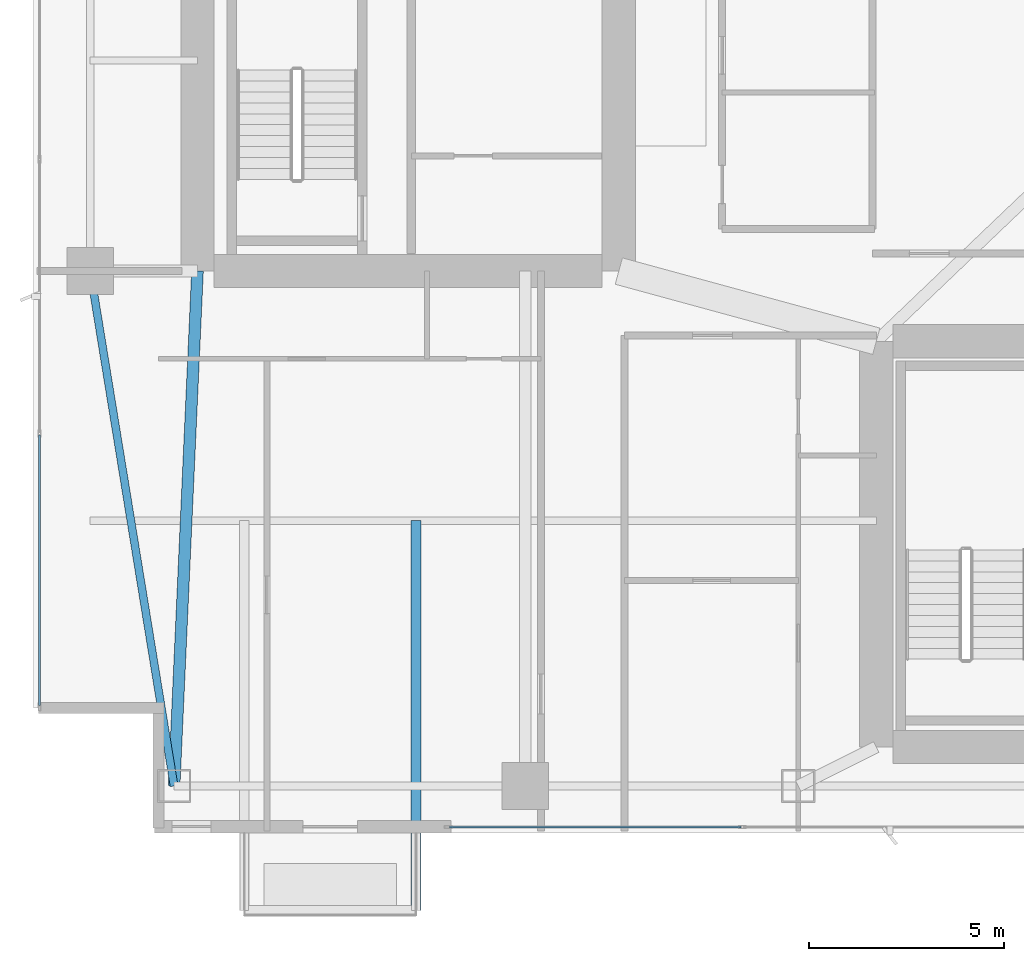
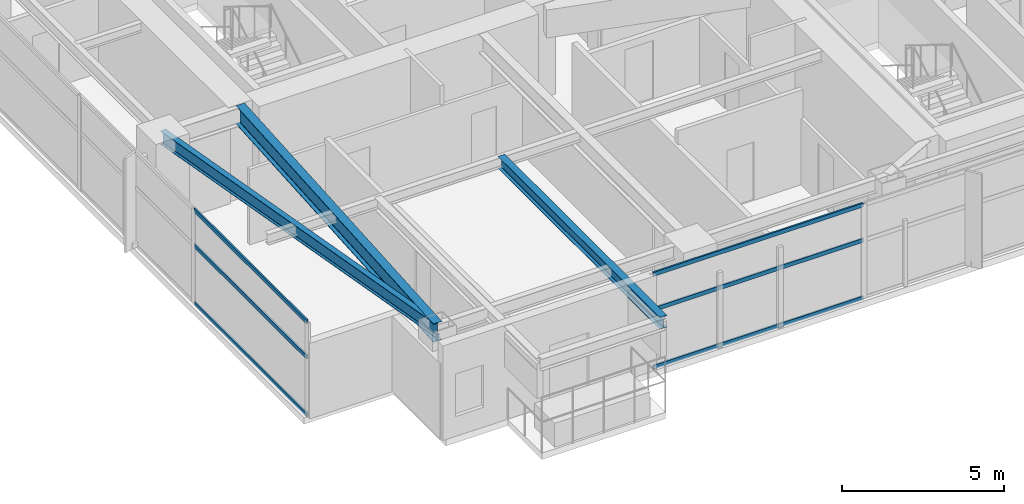
# One storey, part 3 of 28: 6 members, 3 beams, 2 elements without a shape of their own.
"""IFC4 building model written with IfcOpenShell, lengths in metres."""

from ifc_helpers import new_model, si_unit, direction, frame, origin, origin_2d, place, context, subcontext, project, spatial, hollow_rectangle, i_section, extrude, material, layer, layer_set, material_profile, profile_set, type_object, element, aggregate, save


model = new_model("IFC4")

# Units and contexts
model_context = context("Model", 3, precision=1e-05, world=origin(), true_north=direction((0.0, 1.0)))
body_context = subcontext(model_context, "Body", "Model", "MODEL_VIEW")
ifc_project = project(units=[si_unit("LENGTHUNIT", "METRE"), si_unit("AREAUNIT", "SQUARE_METRE"), si_unit("VOLUMEUNIT", "CUBIC_METRE"), si_unit("PLANEANGLEUNIT", "RADIAN"), si_unit("MASSUNIT", "GRAM", prefix="KILO")], contexts=[model_context])

# Site, building, storey
site_placement = place(None, origin())
site = spatial("IfcSite", under=ifc_project, at=site_placement, CompositionType="ELEMENT")
building_placement = place(site_placement, origin())
building = spatial("IfcBuilding", under=site, at=building_placement, Name="Calvorn Quay Hotel", CompositionType="ELEMENT")
storey_placement = place(building_placement, frame((0.0, 0.0, 116.39990234375)))
storey = spatial("IfcBuildingStorey", under=building, at=storey_placement, Name="L28", CompositionType="ELEMENT", Elevation=116.39990234375)

# Beams
ifc_material_1 = material(Name="Steel Q355B", Category="steel")
ifc_material_profile_1 = material_profile(ifc_material_1, i_section(OverallWidth=0.25, OverallDepth=0.449951171875, WebThickness=0.011962890625, FlangeThickness=0.01611328125, FilletRadius=0.01611328125, at=origin_2d()), Name="HN450x250x12x16")
ifc_profile_set_1 = profile_set([ifc_material_profile_1], Name="Steel Q355B")
beam_type_1 = type_object("IfcBeamType", Name="BM-CANT-BALC", PredefinedType="BEAM", material=ifc_profile_set_1)
beam_1_placement = place(storey_placement, frame((9.800048828125, 10.39990234375, 3.315185546875), z_axis=(0.0, -1.0, 0.0), x_axis=(1.0, 0.0, 0.0)))
element("IfcBeam", 1, at=beam_1_placement, inside=storey, type_object=beam_type_1, Name="Cantilever Balcony Beam BCB-L29-2B", PredefinedType="BEAM", context=body_context, shape_type="SweptSolid", body=[
    extrude(i_section(OverallWidth=0.25, OverallDepth=0.449951171875, WebThickness=0.011962890625, FlangeThickness=0.01611328125, FilletRadius=0.01611328125, at=origin_2d()), origin(), (0.0, 0.0, 1.0), 9.989990234375),
])
ifc_material_2 = material(Name="Steel Q390GJC", Category="steel")
ifc_material_profile_2 = material_profile(ifc_material_2, i_section(OverallWidth=0.300048828125, OverallDepth=0.699951171875, WebThickness=0.012939453125, FlangeThickness=0.02392578125, FilletRadius=0.02392578125, at=origin_2d()), Name="HN700x300x13x24")
ifc_profile_set_2 = profile_set([ifc_material_profile_2], Name="Steel Q390GJC")
beam_type_2 = type_object("IfcBeamType", Name="BM-GIRD-MAIN", PredefinedType="BEAM", material=ifc_profile_set_2)
beam_2_placement = place(storey_placement, frame((3.60009765625, 3.60009765625, 3.190185546875), z_axis=(0.045396765494, 0.998969035397, 0.0), x_axis=(-0.998969035397, 0.045396765494, 0.0)))
element("IfcBeam", 2, at=beam_2_placement, inside=storey, type_object=beam_type_2, Name="Beam BG-L28-W0", PredefinedType="BEAM", context=body_context, shape_type="SweptSolid", body=[
    extrude(i_section(OverallWidth=0.300048828125, OverallDepth=0.699951171875, WebThickness=0.012939453125, FlangeThickness=0.02392578125, FilletRadius=0.02392578125, at=origin_2d()), origin(), (0.0, 0.0, 1.0), 13.213623046875),
])
ifc_material_3 = material(Name="Steel Q355B", Category="steel")
ifc_material_profile_3 = material_profile(ifc_material_3, i_section(OverallWidth=0.199951171875, OverallDepth=0.5, WebThickness=0.010009765625, FlangeThickness=0.01611328125, FilletRadius=0.01611328125, at=origin_2d()), Name="HN500x200x10x16")
ifc_profile_set_3 = profile_set([ifc_material_profile_3], Name="Steel Q355B")
beam_type_3 = type_object("IfcBeamType", Name="BM-SPANDREL-Z1", PredefinedType="SPANDREL", material=ifc_profile_set_3)
beam_3_placement = place(storey_placement, frame((3.60009765625, 3.60009765625, 3.2900390625), z_axis=(-0.16077155054, 0.986991645627, 0.0), x_axis=(-0.986991645627, -0.16077155054, 0.0)))
element("IfcBeam", 3, at=beam_3_placement, inside=storey, type_object=beam_type_3, Name="Beam BSP-L28-W1", PredefinedType="SPANDREL", context=body_context, shape_type="SweptSolid", body=[
    extrude(i_section(OverallWidth=0.199951171875, OverallDepth=0.5, WebThickness=0.010009765625, FlangeThickness=0.01611328125, FilletRadius=0.01611328125, at=origin_2d()), origin(), (0.0, 0.0, 1.0), 13.3740234375),
])

# Curtain wall, members
ifc_material_4 = material(Name="Pale Anodised Aluminium and Low-E Glass", Category="aluminium")
ifc_layer = layer(ifc_material_4, 0.219970703125)
ifc_layer_set = layer_set([ifc_layer], Name="CW-SYS-Z2")
curtain_wall_type = type_object("IfcCurtainWallType", Name="CW-SYS-Z2", PredefinedType="NOTDEFINED", material=ifc_layer_set)
curtain_wall_1_placement = place(storey_placement, origin())
curtain_wall_1 = element("IfcCurtainWall", 4, at=curtain_wall_1_placement, inside=storey, type_object=curtain_wall_type, Name="Tower West Curtain Wall (L28)", PredefinedType="NOTDEFINED")
ifc_material_5 = material(Name="Pale Anodised Aluminium 6063-T6", Category="aluminium")
ifc_material_profile_4 = material_profile(ifc_material_5, hollow_rectangle(XDim=0.06005859375, YDim=0.14990234375, WallThickness=0.00341796875, at=origin_2d()), Name="ALU-T150x60x3.5")
ifc_profile_set_4 = profile_set([ifc_material_profile_4], Name="Pale Anodised Aluminium 6063-T6")
member_type = type_object("IfcMemberType", Name="CW-SYS-Z2-TRN", PredefinedType="USERDEFINED", material=ifc_profile_set_4)
member_1_placement = place(storey_placement, frame((0.14990234375, 5.659912109375, 0.030029296875), z_axis=(0.0, 1.0, 0.0), x_axis=(-1.0, 0.0, 0.0)))
member_1 = element("IfcMember", 5, at=member_1_placement, type_object=member_type, Name="CW-L28-W transom 1.1", ObjectType="TRANSOM", PredefinedType="USERDEFINED", context=body_context, shape_type="SweptSolid", body=[
    extrude(hollow_rectangle(XDim=0.06005859375, YDim=0.14990234375, WallThickness=0.00341796875, at=origin_2d()), origin(), (0.0, 0.0, 1.0), 6.943359375),
])
member_2_placement = place(storey_placement, frame((0.14990234375, 5.659912109375, 2.2001953125), z_axis=(0.0, 1.0, 0.0), x_axis=(-1.0, 0.0, 0.0)))
member_2 = element("IfcMember", 6, at=member_2_placement, type_object=member_type, Name="CW-L28-W transom 1.2", ObjectType="TRANSOM", PredefinedType="USERDEFINED", context=body_context, shape_type="SweptSolid", body=[
    extrude(hollow_rectangle(XDim=0.06005859375, YDim=0.14990234375, WallThickness=0.00341796875, at=origin_2d()), origin(), (0.0, 0.0, 1.0), 6.943359375),
])
member_3_placement = place(storey_placement, frame((0.14990234375, 5.659912109375, 3.530029296875), z_axis=(0.0, 1.0, 0.0), x_axis=(-1.0, 0.0, 0.0)))
member_3 = element("IfcMember", 7, at=member_3_placement, type_object=member_type, Name="CW-L28-W transom 1.3", ObjectType="TRANSOM", PredefinedType="USERDEFINED", context=body_context, shape_type="SweptSolid", body=[
    extrude(hollow_rectangle(XDim=0.06005859375, YDim=0.14990234375, WallThickness=0.00341796875, at=origin_2d()), origin(), (0.0, 0.0, 1.0), 6.943359375),
])
aggregate(curtain_wall_1, [member_1, member_2, member_3])

curtain_wall_2_placement = place(storey_placement, origin())
curtain_wall_2 = element("IfcCurtainWall", 8, at=curtain_wall_2_placement, inside=storey, type_object=curtain_wall_type, Name="Tower South Waterfront Curtain Wall (L28)", PredefinedType="NOTDEFINED")
member_4_placement = place(storey_placement, frame((10.659912109375, 2.550048828125, 0.030029296875), z_axis=(1.0, 0.0, 0.0), x_axis=(0.0, 1.0, 0.0)))
member_4 = element("IfcMember", 9, at=member_4_placement, type_object=member_type, Name="CW-L28-S transom 1.1", ObjectType="TRANSOM", PredefinedType="USERDEFINED", context=body_context, shape_type="SweptSolid", body=[
    extrude(hollow_rectangle(XDim=0.06005859375, YDim=0.14990234375, WallThickness=0.00341796875, at=origin_2d()), origin(), (0.0, 0.0, 1.0), 7.476806640625),
])
member_5_placement = place(storey_placement, frame((10.659912109375, 2.550048828125, 2.2001953125), z_axis=(1.0, 0.0, 0.0), x_axis=(0.0, 1.0, 0.0)))
member_5 = element("IfcMember", 10, at=member_5_placement, type_object=member_type, Name="CW-L28-S transom 1.2", ObjectType="TRANSOM", PredefinedType="USERDEFINED", context=body_context, shape_type="SweptSolid", body=[
    extrude(hollow_rectangle(XDim=0.06005859375, YDim=0.14990234375, WallThickness=0.00341796875, at=origin_2d()), origin(), (0.0, 0.0, 1.0), 7.476806640625),
])
member_6_placement = place(storey_placement, frame((10.659912109375, 2.550048828125, 3.530029296875), z_axis=(1.0, 0.0, 0.0), x_axis=(0.0, 1.0, 0.0)))
member_6 = element("IfcMember", 11, at=member_6_placement, type_object=member_type, Name="CW-L28-S transom 1.3", ObjectType="TRANSOM", PredefinedType="USERDEFINED", context=body_context, shape_type="SweptSolid", body=[
    extrude(hollow_rectangle(XDim=0.06005859375, YDim=0.14990234375, WallThickness=0.00341796875, at=origin_2d()), origin(), (0.0, 0.0, 1.0), 7.476806640625),
])
aggregate(curtain_wall_2, [member_4, member_5, member_6])

save(model, "model.ifc")
